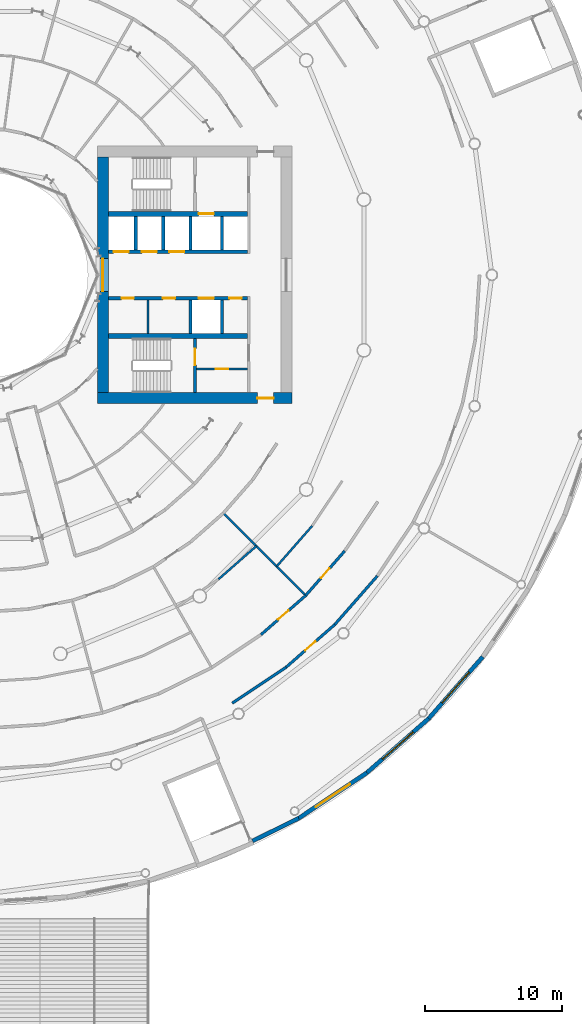
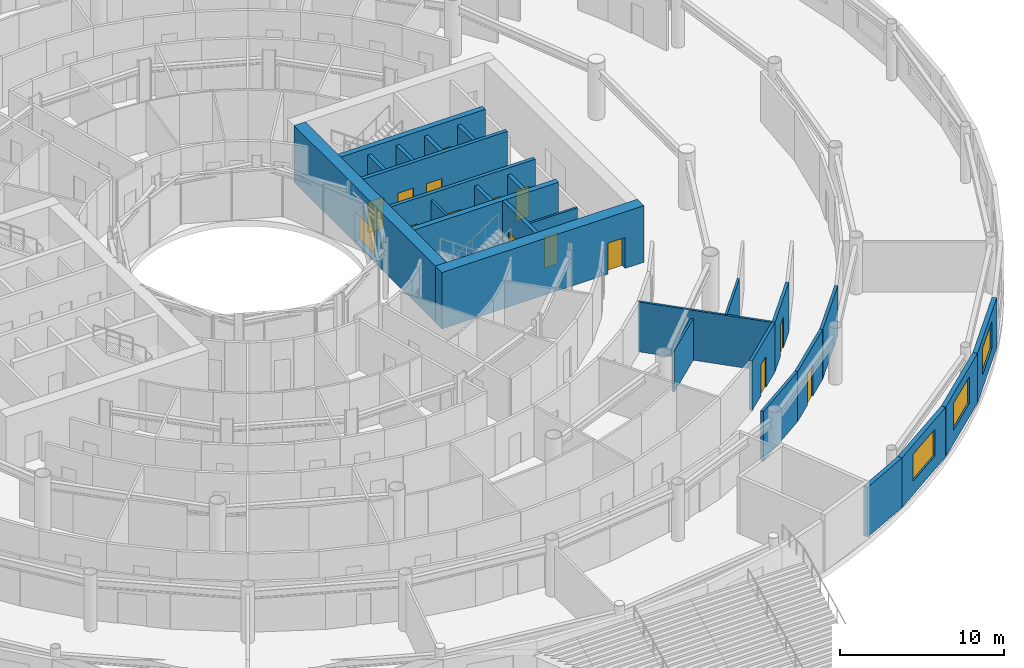
# One storey, part 17 of 29: 27 walls, 14 doors, 4 windows, 18 openings.
"""IFC4 building model written with IfcOpenShell, lengths in metres."""

from ifc_helpers import new_model, si_unit, direction, frame, frame_2d, origin, place, context, subcontext, project, spatial, rectangle, extrude, material, layer, layer_set, type_object, element, fill, save


model = new_model("IFC4")

# Units and contexts
model_context = context("Model", 3, precision=1e-05, world=origin(), true_north=direction((0.0, 1.0)))
body_context = subcontext(model_context, "Body", "Model", "MODEL_VIEW")
ifc_project = project(units=[si_unit("LENGTHUNIT", "METRE"), si_unit("AREAUNIT", "SQUARE_METRE"), si_unit("VOLUMEUNIT", "CUBIC_METRE"), si_unit("PLANEANGLEUNIT", "RADIAN"), si_unit("MASSUNIT", "GRAM", prefix="KILO")], contexts=[model_context])

# Site, building, storey
site_placement = place(None, origin())
site = spatial("IfcSite", under=ifc_project, at=site_placement, CompositionType="ELEMENT")
building_placement = place(site_placement, origin())
building = spatial("IfcBuilding", under=site, at=building_placement, Name="Maasbend Ring Residences", CompositionType="ELEMENT")
storey_placement = place(building_placement, frame((0.0, 0.0, 5.39990234375)))
storey = spatial("IfcBuildingStorey", under=building, at=storey_placement, Name="L01", CompositionType="ELEMENT", Elevation=5.39990234375)

# Wall, openings, doors
ifc_material_1 = material(Name="Concrete C70/85", Category="concrete")
ifc_layer_1 = layer(ifc_material_1, 0.25)
ifc_layer_set_1 = layer_set([ifc_layer_1], Name="Concrete C70/85")
wall_type_1 = type_object("IfcWallType", Name="CORE WALL 250 C70/85", PredefinedType="SHEAR", material=ifc_layer_set_1)
wall_1_placement = place(storey_placement, frame((9.0, 1.699951171875, 0.0), z_axis=(0.0, 0.0, 1.0), x_axis=(1.0, 0.0, 0.0)))
wall_1 = element("IfcWall", 1, at=wall_1_placement, inside=storey, type_object=wall_type_1, Name="L01 core E wall SPN", PredefinedType="SHEAR", context=body_context, shape_type="SweptSolid", body=[
    extrude(rectangle(XDim=10.14990234375, YDim=0.25, at=frame_2d((5.074951171875, 0.0))), origin(), (0.0, 0.0, 1.0), 4.2001953125),
])
opening_1_placement = place(wall_1_placement, frame((0.387451171875, 0.0, 0.0)))
opening_1 = element("IfcOpeningElement", 2, at=opening_1_placement, cuts=wall_1, Name="Opening LD-E0101", PredefinedType="OPENING", context=body_context, shape_type="SweptSolid", body=[
    extrude(rectangle(XDim=1.10009765625, YDim=2.300048828125, at=frame_2d((0.550048828125, 1.14990234375))), frame((0.0, 0.135009765625, 0.0), z_axis=(0.0, -1.0, 0.0), x_axis=(1.0, 0.0, 0.0)), (0.0, 0.0, 1.0), 0.27001953125),
])
opening_2_placement = place(wall_1_placement, frame((2.449951171875, 0.0, 0.0)))
opening_2 = element("IfcOpeningElement", 3, at=opening_2_placement, cuts=wall_1, Name="Opening LD-E0102", PredefinedType="OPENING", context=body_context, shape_type="SweptSolid", body=[
    extrude(rectangle(XDim=1.10009765625, YDim=2.300048828125, at=frame_2d((0.550048828125, 1.14990234375))), frame((0.0, 0.135009765625, 0.0), z_axis=(0.0, -1.0, 0.0), x_axis=(1.0, 0.0, 0.0)), (0.0, 0.0, 1.0), 0.27001953125),
])
opening_3_placement = place(wall_1_placement, frame((4.449951171875, 0.0, 0.0)))
opening_3 = element("IfcOpeningElement", 4, at=opening_3_placement, cuts=wall_1, Name="Opening LD-E0103", PredefinedType="OPENING", context=body_context, shape_type="SweptSolid", body=[
    extrude(rectangle(XDim=1.10009765625, YDim=2.300048828125, at=frame_2d((0.550048828125, 1.14990234375))), frame((0.0, 0.135009765625, 0.0), z_axis=(0.0, -1.0, 0.0), x_axis=(1.0, 0.0, 0.0)), (0.0, 0.0, 1.0), 0.27001953125),
])
ifc_material_2 = material(Name="Stainless steel 316", Category="steel")
door_type_1 = type_object("IfcDoorType", Name="LANDING DOOR 1100 X 2300 FD60", OperationType="DOUBLE_DOOR_SLIDING", PredefinedType="DOOR", material=ifc_material_2)
door_1_placement = place(opening_1_placement, origin())
door_1 = element("IfcDoor", 5, at=door_1_placement, inside=storey, type_object=door_type_1, Name="Landing door LR-E1 L01", OperationType="DOUBLE_DOOR_SLIDING", OverallHeight=2.300048828125, OverallWidth=1.10009765625, PredefinedType="DOOR", context=body_context, shape_type="SweptSolid", body=[
    extrude(rectangle(XDim=1.10009765625, YDim=2.300048828125, at=frame_2d((0.550048828125, 1.14990234375))), frame((0.0, 0.02490234375, 0.0), z_axis=(0.0, -1.0, 0.0), x_axis=(1.0, 0.0, 0.0)), (0.0, 0.0, 1.0), 0.050048828125),
])
fill(opening_1, door_1)
door_2_placement = place(opening_2_placement, origin())
door_2 = element("IfcDoor", 6, at=door_2_placement, inside=storey, type_object=door_type_1, Name="Landing door LR-E2 L01", OperationType="DOUBLE_DOOR_SLIDING", OverallHeight=2.300048828125, OverallWidth=1.10009765625, PredefinedType="DOOR", context=body_context, shape_type="SweptSolid", body=[
    extrude(rectangle(XDim=1.10009765625, YDim=2.300048828125, at=frame_2d((0.550048828125, 1.14990234375))), frame((0.0, 0.02490234375, 0.0), z_axis=(0.0, -1.0, 0.0), x_axis=(1.0, 0.0, 0.0)), (0.0, 0.0, 1.0), 0.050048828125),
])
fill(opening_2, door_2)
door_3_placement = place(opening_3_placement, origin())
door_3 = element("IfcDoor", 7, at=door_3_placement, inside=storey, type_object=door_type_1, Name="Landing door LR-E3 L01", OperationType="DOUBLE_DOOR_SLIDING", OverallHeight=2.300048828125, OverallWidth=1.10009765625, PredefinedType="DOOR", context=body_context, shape_type="SweptSolid", body=[
    extrude(rectangle(XDim=1.10009765625, YDim=2.300048828125, at=frame_2d((0.550048828125, 1.14990234375))), frame((0.0, 0.02490234375, 0.0), z_axis=(0.0, -1.0, 0.0), x_axis=(1.0, 0.0, 0.0)), (0.0, 0.0, 1.0), 0.050048828125),
])
fill(opening_3, door_3)

wall_2_placement = place(storey_placement, frame((19.14990234375, -1.699951171875, 0.0), z_axis=(0.0, 0.0, 1.0), x_axis=(-1.0, 0.0, 0.0)))
wall_2 = element("IfcWall", 8, at=wall_2_placement, inside=storey, type_object=wall_type_1, Name="L01 core E wall SPS", PredefinedType="SHEAR", context=body_context, shape_type="SweptSolid", body=[
    extrude(rectangle(XDim=10.14990234375, YDim=0.25, at=frame_2d((5.074951171875, 0.0))), origin(), (0.0, 0.0, 1.0), 4.2001953125),
])
opening_4_placement = place(wall_2_placement, frame((2.449951171875, 0.0, 0.0)))
opening_4 = element("IfcOpeningElement", 9, at=opening_4_placement, cuts=wall_2, Name="Opening LD-E0105", PredefinedType="OPENING", context=body_context, shape_type="SweptSolid", body=[
    extrude(rectangle(XDim=1.10009765625, YDim=2.300048828125, at=frame_2d((0.550048828125, 1.14990234375))), frame((0.0, 0.135009765625, 0.0), z_axis=(0.0, -1.0, 0.0), x_axis=(1.0, 0.0, 0.0)), (0.0, 0.0, 1.0), 0.27001953125),
])
opening_5_placement = place(wall_2_placement, frame((8.28759765625, 0.0, 0.0)))
opening_5 = element("IfcOpeningElement", 10, at=opening_5_placement, cuts=wall_2, Name="Opening D-E0106", PredefinedType="OPENING", context=body_context, shape_type="SweptSolid", body=[
    extrude(rectangle(XDim=0.89990234375, YDim=2.300048828125, at=frame_2d((0.449951171875, 1.14990234375))), frame((0.0, 0.135009765625, 0.0), z_axis=(0.0, -1.0, 0.0), x_axis=(1.0, 0.0, 0.0)), (0.0, 0.0, 1.0), 0.27001953125),
])
opening_6_placement = place(wall_2_placement, frame((5.27490234375, 0.0, 0.0)))
opening_6 = element("IfcOpeningElement", 11, at=opening_6_placement, cuts=wall_2, Name="Opening D-E0107", PredefinedType="OPENING", context=body_context, shape_type="SweptSolid", body=[
    extrude(rectangle(XDim=0.89990234375, YDim=2.300048828125, at=frame_2d((0.449951171875, 1.14990234375))), frame((0.0, 0.135009765625, 0.0), z_axis=(0.0, -1.0, 0.0), x_axis=(1.0, 0.0, 0.0)), (0.0, 0.0, 1.0), 0.27001953125),
])
opening_7_placement = place(wall_2_placement, frame((0.41259765625, 0.0, 0.0)))
opening_7 = element("IfcOpeningElement", 12, at=opening_7_placement, cuts=wall_2, Name="Opening D-E0108", PredefinedType="OPENING", context=body_context, shape_type="SweptSolid", body=[
    extrude(rectangle(XDim=0.89990234375, YDim=2.300048828125, at=frame_2d((0.449951171875, 1.14990234375))), frame((0.0, 0.135009765625, 0.0), z_axis=(0.0, -1.0, 0.0), x_axis=(1.0, 0.0, 0.0)), (0.0, 0.0, 1.0), 0.27001953125),
])
door_4_placement = place(opening_4_placement, origin())
door_4 = element("IfcDoor", 13, at=door_4_placement, inside=storey, type_object=door_type_1, Name="Landing door SV-E L01", OperationType="DOUBLE_DOOR_SLIDING", OverallHeight=2.300048828125, OverallWidth=1.10009765625, PredefinedType="DOOR", context=body_context, shape_type="SweptSolid", body=[
    extrude(rectangle(XDim=1.10009765625, YDim=2.300048828125, at=frame_2d((0.550048828125, 1.14990234375))), frame((0.0, 0.02490234375, 0.0), z_axis=(0.0, -1.0, 0.0), x_axis=(1.0, 0.0, 0.0)), (0.0, 0.0, 1.0), 0.050048828125),
])
fill(opening_4, door_4)
ifc_material_3 = material(Name="Steel, powder coated", Category="steel")
door_type_2 = type_object("IfcDoorType", Name="ROOM DOOR 900 X 2300 FD30S", OperationType="NOTDEFINED", PredefinedType="DOOR", material=ifc_material_3)
door_5_placement = place(opening_5_placement, origin())
door_5 = element("IfcDoor", 14, at=door_5_placement, inside=storey, type_object=door_type_2, Name="Room door L01", OperationType="SINGLE_SWING_LEFT", OverallHeight=2.300048828125, OverallWidth=0.89990234375, PredefinedType="DOOR", context=body_context, shape_type="SweptSolid", body=[
    extrude(rectangle(XDim=0.89990234375, YDim=2.300048828125, at=frame_2d((0.449951171875, 1.14990234375))), frame((0.0, 0.02490234375, 0.0), z_axis=(0.0, -1.0, 0.0), x_axis=(1.0, 0.0, 0.0)), (0.0, 0.0, 1.0), 0.050048828125),
])
fill(opening_5, door_5)
door_6_placement = place(opening_6_placement, origin())
door_6 = element("IfcDoor", 15, at=door_6_placement, inside=storey, type_object=door_type_2, Name="Room door L01", OperationType="SINGLE_SWING_LEFT", OverallHeight=2.300048828125, OverallWidth=0.89990234375, PredefinedType="DOOR", context=body_context, shape_type="SweptSolid", body=[
    extrude(rectangle(XDim=0.89990234375, YDim=2.300048828125, at=frame_2d((0.449951171875, 1.14990234375))), frame((0.0, 0.02490234375, 0.0), z_axis=(0.0, -1.0, 0.0), x_axis=(1.0, 0.0, 0.0)), (0.0, 0.0, 1.0), 0.050048828125),
])
fill(opening_6, door_6)
door_7_placement = place(opening_7_placement, origin())
door_7 = element("IfcDoor", 16, at=door_7_placement, inside=storey, type_object=door_type_2, Name="Room door L01", OperationType="SINGLE_SWING_RIGHT", OverallHeight=2.300048828125, OverallWidth=0.89990234375, PredefinedType="DOOR", context=body_context, shape_type="SweptSolid", body=[
    extrude(rectangle(XDim=0.89990234375, YDim=2.300048828125, at=frame_2d((0.449951171875, 1.14990234375))), frame((0.0, 0.02490234375, 0.0), z_axis=(0.0, -1.0, 0.0), x_axis=(1.0, 0.0, 0.0)), (0.0, 0.0, 1.0), 0.050048828125),
])
fill(opening_7, door_7)

# Wall, opening, door
wall_3_placement = place(storey_placement, frame((15.324951171875, -8.60009765625, 0.0), z_axis=(0.0, 0.0, 1.0), x_axis=(0.0, 1.0, 0.0)))
wall_3 = element("IfcWall", 17, at=wall_3_placement, inside=storey, type_object=wall_type_1, Name="L01 core E wall STES", PredefinedType="SHEAR", context=body_context, shape_type="SweptSolid", body=[
    extrude(rectangle(XDim=3.9501953125, YDim=0.25, at=frame_2d((1.97509765625, 0.0))), origin(), (0.0, 0.0, 1.0), 4.2001953125),
])
opening_8_placement = place(wall_3_placement, frame((2.02490234375, 0.0, 0.0)))
opening_8 = element("IfcOpeningElement", 18, at=opening_8_placement, cuts=wall_3, Name="Opening D-E0111", PredefinedType="OPENING", context=body_context, shape_type="SweptSolid", body=[
    extrude(rectangle(XDim=1.199951171875, YDim=2.300048828125, at=frame_2d((0.60009765625, 1.14990234375))), frame((0.0, 0.135009765625, 0.0), z_axis=(0.0, -1.0, 0.0), x_axis=(1.0, 0.0, 0.0)), (0.0, 0.0, 1.0), 0.27001953125),
])
ifc_material_4 = material(Name="Steel, powder coated", Category="steel")
door_type_3 = type_object("IfcDoorType", Name="STAIR DOOR 1200 X 2300 FD60", OperationType="NOTDEFINED", PredefinedType="DOOR", material=ifc_material_4)
door_8_placement = place(opening_8_placement, origin())
door_8 = element("IfcDoor", 19, at=door_8_placement, inside=storey, type_object=door_type_3, Name="Stair door ST-E L01", OperationType="SINGLE_SWING_LEFT", OverallHeight=2.300048828125, OverallWidth=1.199951171875, PredefinedType="DOOR", context=body_context, shape_type="SweptSolid", body=[
    extrude(rectangle(XDim=1.199951171875, YDim=2.300048828125, at=frame_2d((0.60009765625, 1.14990234375))), frame((0.0, 0.02490234375, 0.0), z_axis=(0.0, -1.0, 0.0), x_axis=(1.0, 0.0, 0.0)), (0.0, 0.0, 1.0), 0.050048828125),
])
fill(opening_8, door_8)

ifc_material_5 = material(Name="Concrete C70/85", Category="concrete")
ifc_layer_2 = layer(ifc_material_5, 0.375)
ifc_layer_set_2 = layer_set([ifc_layer_2], Name="Concrete C70/85")
wall_type_2 = type_object("IfcWallType", Name="CORE WALL 375 C70/85", PredefinedType="SHEAR", material=ifc_layer_set_2)
wall_4_placement = place(storey_placement, frame((9.0, 4.46240234375, 0.0), z_axis=(0.0, 0.0, 1.0), x_axis=(1.0, 0.0, 0.0)))
wall_4 = element("IfcWall", 20, at=wall_4_placement, inside=storey, type_object=wall_type_2, Name="L01 core E wall BN", PredefinedType="SHEAR", context=body_context, shape_type="SweptSolid", body=[
    extrude(rectangle(XDim=10.14990234375, YDim=0.375, at=frame_2d((5.074951171875, 0.0))), origin(), (0.0, 0.0, 1.0), 4.2001953125),
])
opening_9_placement = place(wall_4_placement, frame((6.60009765625, 0.0, 0.0)))
opening_9 = element("IfcOpeningElement", 21, at=opening_9_placement, cuts=wall_4, Name="Opening LD-E0104", PredefinedType="OPENING", context=body_context, shape_type="SweptSolid", body=[
    extrude(rectangle(XDim=1.10009765625, YDim=2.300048828125, at=frame_2d((0.550048828125, 1.14990234375))), frame((0.0, 0.197509765625, 0.0), z_axis=(0.0, -1.0, 0.0), x_axis=(1.0, 0.0, 0.0)), (0.0, 0.0, 1.0), 0.39501953125),
])
door_9_placement = place(opening_9_placement, origin())
door_9 = element("IfcDoor", 22, at=door_9_placement, inside=storey, type_object=door_type_1, Name="Landing door FF-E L01", OperationType="DOUBLE_DOOR_SLIDING", OverallHeight=2.300048828125, OverallWidth=1.10009765625, PredefinedType="DOOR", context=body_context, shape_type="SweptSolid", body=[
    extrude(rectangle(XDim=1.10009765625, YDim=2.300048828125, at=frame_2d((0.550048828125, 1.14990234375))), frame((0.0, 0.02490234375, 0.0), z_axis=(0.0, -1.0, 0.0), x_axis=(1.0, 0.0, 0.0)), (0.0, 0.0, 1.0), 0.050048828125),
])
fill(opening_9, door_9)

# Wall
wall_5_placement = place(storey_placement, frame((9.0, -4.46240234375, 0.0), z_axis=(0.0, 0.0, 1.0), x_axis=(1.0, 0.0, 0.0)))
element("IfcWall", 23, at=wall_5_placement, inside=storey, type_object=wall_type_2, Name="L01 core E wall BS", PredefinedType="SHEAR", context=body_context, shape_type="SweptSolid", body=[
    extrude(rectangle(XDim=10.14990234375, YDim=0.375, at=frame_2d((5.074951171875, 0.0))), origin(), (0.0, 0.0, 1.0), 4.2001953125),
])

# Wall, opening, door
ifc_material_6 = material(Name="Concrete C70/85", Category="concrete")
ifc_layer_3 = layer(ifc_material_6, 0.800048828125)
ifc_layer_set_3 = layer_set([ifc_layer_3], Name="Concrete C70/85")
wall_type_3 = type_object("IfcWallType", Name="CORE WALL 800 C70/85", PredefinedType="SHEAR", material=ifc_layer_set_3)
wall_6_placement = place(storey_placement, frame((8.199951171875, -9.0, 0.0), z_axis=(0.0, 0.0, 1.0), x_axis=(1.0, 0.0, 0.0)))
wall_6 = element("IfcWall", 24, at=wall_6_placement, inside=storey, type_object=wall_type_3, Name="L01 core E wall PS", PredefinedType="SHEAR", context=body_context, shape_type="SweptSolid", body=[
    extrude(rectangle(XDim=14.199951171875, YDim=0.800048828125, at=frame_2d((7.10009765625, 0.0))), origin(), (0.0, 0.0, 1.0), 4.2001953125),
])
opening_10_placement = place(wall_6_placement, frame((11.675048828125, 0.0, 0.0)))
opening_10 = element("IfcOpeningElement", 25, at=opening_10_placement, cuts=wall_6, Name="Opening D-E0115", PredefinedType="OPENING", context=body_context, shape_type="SweptSolid", body=[
    extrude(rectangle(XDim=1.199951171875, YDim=2.300048828125, at=frame_2d((0.60009765625, 1.14990234375))), frame((0.0, 0.41015625, 0.0), z_axis=(0.0, -1.0, 0.0), x_axis=(1.0, 0.0, 0.0)), (0.0, 0.0, 1.0), 0.820068359375),
])
ifc_material_7 = material(Name="Steel, powder coated", Category="steel")
door_type_4 = type_object("IfcDoorType", Name="CORRIDOR DOOR 1200 X 2300 FD30S", OperationType="NOTDEFINED", PredefinedType="DOOR", material=ifc_material_7)
door_10_placement = place(opening_10_placement, origin())
door_10 = element("IfcDoor", 26, at=door_10_placement, inside=storey, type_object=door_type_4, Name="Corridor door L01", OperationType="SINGLE_SWING_LEFT", OverallHeight=2.300048828125, OverallWidth=1.199951171875, PredefinedType="DOOR", context=body_context, shape_type="SweptSolid", body=[
    extrude(rectangle(XDim=1.199951171875, YDim=2.300048828125, at=frame_2d((0.60009765625, 1.14990234375))), frame((0.0, 0.02490234375, 0.0), z_axis=(0.0, -1.0, 0.0), x_axis=(1.0, 0.0, 0.0)), (0.0, 0.0, 1.0), 0.050048828125),
])
fill(opening_10, door_10)

# Wall, opening, window
wall_7_placement = place(storey_placement, frame((8.60009765625, -8.60009765625, 0.0), z_axis=(0.0, 0.0, 1.0), x_axis=(0.0, 1.0, 0.0)))
wall_7 = element("IfcWall", 27, at=wall_7_placement, inside=storey, type_object=wall_type_3, Name="L01 core E wall PIN", PredefinedType="SHEAR", context=body_context, shape_type="SweptSolid", body=[
    extrude(rectangle(XDim=17.2001953125, YDim=0.800048828125, at=frame_2d((8.60009765625, 0.0))), origin(), (0.0, 0.0, 1.0), 4.2001953125),
])
opening_11_placement = place(wall_7_placement, frame((7.39990234375, 0.0, 0.10009765625)))
opening_11 = element("IfcOpeningElement", 28, at=opening_11_placement, cuts=wall_7, Name="Opening W-E0101", PredefinedType="OPENING", context=body_context, shape_type="SweptSolid", body=[
    extrude(rectangle(XDim=2.39990234375, YDim=2.199951171875, at=frame_2d((1.199951171875, 1.10009765625))), frame((0.0, 0.41015625, 0.0), z_axis=(0.0, -1.0, 0.0), x_axis=(1.0, 0.0, 0.0)), (0.0, 0.0, 1.0), 0.820068359375),
])
ifc_material_8 = material(Name="Aluminium frame and clear glass", Category="aluminium")
window_type_1 = type_object("IfcWindowType", Name="FIXED WINDOW 2400 X 2200", PartitioningType="SINGLE_PANEL", PredefinedType="WINDOW", material=ifc_material_8)
window_1_placement = place(opening_11_placement, origin())
window_1 = element("IfcWindow", 29, at=window_1_placement, inside=storey, type_object=window_type_1, Name="Lobby window L01", OverallHeight=2.199951171875, OverallWidth=2.39990234375, PartitioningType="SINGLE_PANEL", PredefinedType="WINDOW", context=body_context, shape_type="SweptSolid", body=[
    extrude(rectangle(XDim=2.39990234375, YDim=2.199951171875, at=frame_2d((1.199951171875, 1.10009765625))), frame((0.0, 0.030029296875, 0.0), z_axis=(0.0, -1.0, 0.0), x_axis=(1.0, 0.0, 0.0)), (0.0, 0.0, 1.0), 0.06005859375),
])
fill(opening_11, window_1)

# Wall
ifc_material_9 = material(Name="Concrete C30/37", Category="concrete")
ifc_layer_4 = layer(ifc_material_9, 0.199951171875)
ifc_layer_set_4 = layer_set([ifc_layer_4], Name="Concrete C30/37")
wall_type_4 = type_object("IfcWallType", Name="CORRIDOR WALL 200 CONCRETE", PredefinedType="PARTITIONING", material=ifc_layer_set_4)
wall_8_placement = place(storey_placement, frame((18.050048828125, -31.263916015625, 0.0), z_axis=(0.0, 0.0, 1.0), x_axis=(0.831397496099, 0.555678147384, 0.0)))
element("IfcWall", 30, at=wall_8_placement, inside=storey, type_object=wall_type_4, Name="U-L01-w015", PredefinedType="PARTITIONING", context=body_context, shape_type="SweptSolid", body=[
    extrude(rectangle(XDim=4.72216796875, YDim=0.199951171875, at=frame_2d((2.361083984375, 0.0))), origin(), (0.0, 0.0, 1.0), 3.7001953125),
])

# Wall, opening, door
wall_9_placement = place(storey_placement, frame((21.97607421875, -28.639892578125, 0.0), z_axis=(0.0, 0.0, 1.0), x_axis=(0.751983893099, 0.659181480716, 0.0)))
wall_9 = element("IfcWall", 31, at=wall_9_placement, inside=storey, type_object=wall_type_4, Name="U-L01-w016", PredefinedType="PARTITIONING", context=body_context, shape_type="SweptSolid", body=[
    extrude(rectangle(XDim=4.72216796875, YDim=0.199951171875, at=frame_2d((2.361083984375, 0.0))), origin(), (0.0, 0.0, 1.0), 3.7001953125),
])
opening_12_placement = place(wall_9_placement, frame((1.861083984375, 0.0, 0.0)))
opening_12 = element("IfcOpeningElement", 32, at=opening_12_placement, cuts=wall_9, Name="Opening D-0184", PredefinedType="OPENING", context=body_context, shape_type="SweptSolid", body=[
    extrude(rectangle(XDim=1.0, YDim=2.300048828125, at=frame_2d((0.5, 1.14990234375))), frame((0.0, 0.10986328125, 0.0), z_axis=(0.0, -1.0, 0.0), x_axis=(1.0, 0.0, 0.0)), (0.0, 0.0, 1.0), 0.219970703125),
])
ifc_material_10 = material(Name="Timber, painted", Category="wood")
door_type_5 = type_object("IfcDoorType", Name="ROOM DOOR 1000 X 2300", OperationType="NOTDEFINED", PredefinedType="DOOR", material=ifc_material_10)
door_11_placement = place(opening_12_placement, origin())
door_11 = element("IfcDoor", 33, at=door_11_placement, inside=storey, type_object=door_type_5, Name="D-0184", OperationType="SINGLE_SWING_LEFT", OverallHeight=2.300048828125, OverallWidth=1.0, PredefinedType="DOOR", context=body_context, shape_type="SweptSolid", body=[
    extrude(rectangle(XDim=1.0, YDim=2.300048828125, at=frame_2d((0.5, 1.14990234375))), frame((0.0, 0.02490234375, 0.0), z_axis=(0.0, -1.0, 0.0), x_axis=(1.0, 0.0, 0.0)), (0.0, 0.0, 1.0), 0.050048828125),
])
fill(opening_12, door_11)

# Wall
wall_10_placement = place(storey_placement, frame((25.527099609375, -25.527099609375, 0.0), z_axis=(0.0, 0.0, 1.0), x_axis=(0.659181480716, 0.751983893099, 0.0)))
element("IfcWall", 34, at=wall_10_placement, inside=storey, type_object=wall_type_4, Name="U-L01-w017", PredefinedType="PARTITIONING", context=body_context, shape_type="SweptSolid", body=[
    extrude(rectangle(XDim=4.72216796875, YDim=0.199951171875, at=frame_2d((2.361083984375, 0.0))), origin(), (0.0, 0.0, 1.0), 3.7001953125),
])

# Wall, opening, door
wall_11_placement = place(storey_placement, frame((20.14990234375, -26.260009765625, 0.0), z_axis=(0.0, 0.0, 1.0), x_axis=(0.75180422834, 0.659386383125, 0.0)))
wall_11 = element("IfcWall", 35, at=wall_11_placement, inside=storey, type_object=wall_type_4, Name="U-L01-w036", PredefinedType="PARTITIONING", context=body_context, shape_type="SweptSolid", body=[
    extrude(rectangle(XDim=4.329833984375, YDim=0.199951171875, at=frame_2d((2.1650390625, 0.0))), origin(), (0.0, 0.0, 1.0), 3.7001953125),
])
opening_13_placement = place(wall_11_placement, frame((1.6650390625, 0.0, 0.0)))
opening_13 = element("IfcOpeningElement", 36, at=opening_13_placement, cuts=wall_11, Name="Opening D-0167", PredefinedType="OPENING", context=body_context, shape_type="SweptSolid", body=[
    extrude(rectangle(XDim=1.0, YDim=2.300048828125, at=frame_2d((0.5, 1.14990234375))), frame((0.0, 0.10986328125, 0.0), z_axis=(0.0, -1.0, 0.0), x_axis=(1.0, 0.0, 0.0)), (0.0, 0.0, 1.0), 0.219970703125),
])
door_12_placement = place(opening_13_placement, origin())
door_12 = element("IfcDoor", 37, at=door_12_placement, inside=storey, type_object=door_type_5, Name="D-0167", OperationType="SINGLE_SWING_RIGHT", OverallHeight=2.300048828125, OverallWidth=1.0, PredefinedType="DOOR", context=body_context, shape_type="SweptSolid", body=[
    extrude(rectangle(XDim=1.0, YDim=2.300048828125, at=frame_2d((0.5, 1.14990234375))), frame((0.0, 0.02490234375, 0.0), z_axis=(0.0, -1.0, 0.0), x_axis=(1.0, 0.0, 0.0)), (0.0, 0.0, 1.0), 0.050048828125),
])
fill(opening_13, door_12)

wall_12_placement = place(storey_placement, frame((23.405029296875, -23.405029296875, 0.0), z_axis=(0.0, 0.0, 1.0), x_axis=(0.659386383125, 0.75180422834, 0.0)))
wall_12 = element("IfcWall", 38, at=wall_12_placement, inside=storey, type_object=wall_type_4, Name="U-L01-w037", PredefinedType="PARTITIONING", context=body_context, shape_type="SweptSolid", body=[
    extrude(rectangle(XDim=4.329833984375, YDim=0.199951171875, at=frame_2d((2.1650390625, 0.0))), origin(), (0.0, 0.0, 1.0), 3.7001953125),
])
opening_14_placement = place(wall_12_placement, frame((1.715087890625, 0.0, 0.0)))
opening_14 = element("IfcOpeningElement", 39, at=opening_14_placement, cuts=wall_12, Name="Opening D-0169", PredefinedType="OPENING", context=body_context, shape_type="SweptSolid", body=[
    extrude(rectangle(XDim=0.89990234375, YDim=2.300048828125, at=frame_2d((0.449951171875, 1.14990234375))), frame((0.0, 0.10986328125, 0.0), z_axis=(0.0, -1.0, 0.0), x_axis=(1.0, 0.0, 0.0)), (0.0, 0.0, 1.0), 0.219970703125),
])
ifc_material_11 = material(Name="Steel, fire-rated, painted", Category="steel")
door_type_6 = type_object("IfcDoorType", Name="SERVICE DOOR 900 X 2300 FIRE-RATED", OperationType="NOTDEFINED", PredefinedType="DOOR", material=ifc_material_11)
door_13_placement = place(opening_14_placement, origin())
door_13 = element("IfcDoor", 40, at=door_13_placement, inside=storey, type_object=door_type_6, Name="D-0169", OperationType="SINGLE_SWING_RIGHT", OverallHeight=2.300048828125, OverallWidth=0.89990234375, PredefinedType="DOOR", context=body_context, shape_type="SweptSolid", body=[
    extrude(rectangle(XDim=0.89990234375, YDim=2.300048828125, at=frame_2d((0.449951171875, 1.14990234375))), frame((0.0, 0.02490234375, 0.0), z_axis=(0.0, -1.0, 0.0), x_axis=(1.0, 0.0, 0.0)), (0.0, 0.0, 1.0), 0.050048828125),
])
fill(opening_14, door_13)

# Wall
ifc_material_12 = material(Name="Pale anodised aluminium panel", Category="aluminium")
ifc_layer_5 = layer(ifc_material_12, 0.300048828125)
ifc_layer_set_5 = layer_set([ifc_layer_5], Name="EW-BASE")
wall_type_5 = type_object("IfcWallType", Name="EW-BASE", PredefinedType="SOLIDWALL", material=ifc_layer_set_5)
wall_13_placement = place(storey_placement, frame((19.527099609375, -41.326904296875, 0.0), z_axis=(0.0, 0.0, 1.0), x_axis=(0.896919197762, 0.44219447383, 0.0)))
element("IfcWall", 41, at=wall_13_placement, inside=storey, type_object=wall_type_5, Name="Base block wall 40a", PredefinedType="SOLIDWALL", context=body_context, shape_type="SweptSolid", body=[
    extrude(rectangle(XDim=3.760498046875, YDim=0.300048828125, at=frame_2d((1.88037109375, 0.0))), origin(), (0.0, 0.0, 1.0), 3.7001953125),
])

# Wall, opening, window
wall_14_placement = place(storey_placement, frame((22.89990234375, -39.6640625, 0.0), z_axis=(0.0, 0.0, 1.0), x_axis=(0.831485590074, 0.55554631985, 0.0)))
wall_14 = element("IfcWall", 42, at=wall_14_placement, inside=storey, type_object=wall_type_5, Name="Base block wall 41", PredefinedType="SOLIDWALL", context=body_context, shape_type="SweptSolid", body=[
    extrude(rectangle(XDim=5.99072265625, YDim=0.300048828125, at=frame_2d((2.995361328125, 0.0))), origin(), (0.0, 0.0, 1.0), 3.7001953125),
])
opening_15_placement = place(wall_14_placement, frame((1.495361328125, 0.0, 1.0)))
opening_15 = element("IfcOpeningElement", 43, at=opening_15_placement, cuts=wall_14, Name="Opening W-PB", PredefinedType="OPENING", context=body_context, shape_type="SweptSolid", body=[
    extrude(rectangle(XDim=3.0, YDim=2.0, at=frame_2d((1.5, 1.0))), frame((0.0, 0.16015625, 0.0), z_axis=(0.0, -1.0, 0.0), x_axis=(1.0, 0.0, 0.0)), (0.0, 0.0, 1.0), 0.320068359375),
])
ifc_material_13 = material(Name="Aluminium and clear glass", Category="aluminium")
window_type_2 = type_object("IfcWindowType", Name="W-PB", PartitioningType="SINGLE_PANEL", PredefinedType="WINDOW", material=ifc_material_13)
window_2_placement = place(opening_15_placement, origin())
window_2 = element("IfcWindow", 44, at=window_2_placement, inside=storey, type_object=window_type_2, Name="Base block window 41", OverallHeight=2.0, OverallWidth=3.0, PartitioningType="SINGLE_PANEL", PredefinedType="WINDOW", context=body_context, shape_type="SweptSolid", body=[
    extrude(rectangle(XDim=3.0, YDim=2.0, at=frame_2d((1.5, 1.0))), frame((0.0, 0.030029296875, 0.0), z_axis=(0.0, -1.0, 0.0), x_axis=(1.0, 0.0, 0.0)), (0.0, 0.0, 1.0), 0.06005859375),
])
fill(opening_15, window_2)

wall_15_placement = place(storey_placement, frame((27.881103515625, -36.3359375, 0.0), z_axis=(0.0, 0.0, 1.0), x_axis=(0.751748126189, 0.659450342916, 0.0)))
wall_15 = element("IfcWall", 45, at=wall_15_placement, inside=storey, type_object=wall_type_5, Name="Base block wall 42", PredefinedType="SOLIDWALL", context=body_context, shape_type="SweptSolid", body=[
    extrude(rectangle(XDim=5.9912109375, YDim=0.300048828125, at=frame_2d((2.99560546875, 0.0))), origin(), (0.0, 0.0, 1.0), 3.7001953125),
])
opening_16_placement = place(wall_15_placement, frame((1.495361328125, 0.0, 1.0)))
opening_16 = element("IfcOpeningElement", 46, at=opening_16_placement, cuts=wall_15, Name="Opening W-PB", PredefinedType="OPENING", context=body_context, shape_type="SweptSolid", body=[
    extrude(rectangle(XDim=3.0, YDim=2.0, at=frame_2d((1.5, 1.0))), frame((0.0, 0.16015625, 0.0), z_axis=(0.0, -1.0, 0.0), x_axis=(1.0, 0.0, 0.0)), (0.0, 0.0, 1.0), 0.320068359375),
])
window_3_placement = place(opening_16_placement, origin())
window_3 = element("IfcWindow", 47, at=window_3_placement, inside=storey, type_object=window_type_2, Name="Base block window 42", OverallHeight=2.0, OverallWidth=3.0, PartitioningType="SINGLE_PANEL", PredefinedType="WINDOW", context=body_context, shape_type="SweptSolid", body=[
    extrude(rectangle(XDim=3.0, YDim=2.0, at=frame_2d((1.5, 1.0))), frame((0.0, 0.030029296875, 0.0), z_axis=(0.0, -1.0, 0.0), x_axis=(1.0, 0.0, 0.0)), (0.0, 0.0, 1.0), 0.06005859375),
])
fill(opening_16, window_3)

wall_16_placement = place(storey_placement, frame((32.385009765625, -32.385009765625, 0.0), z_axis=(0.0, 0.0, 1.0), x_axis=(0.659450342916, 0.751748126189, 0.0)))
wall_16 = element("IfcWall", 48, at=wall_16_placement, inside=storey, type_object=wall_type_5, Name="Base block wall 43", PredefinedType="SOLIDWALL", context=body_context, shape_type="SweptSolid", body=[
    extrude(rectangle(XDim=5.9912109375, YDim=0.300048828125, at=frame_2d((2.99560546875, 0.0))), origin(), (0.0, 0.0, 1.0), 3.7001953125),
])
opening_17_placement = place(wall_16_placement, frame((1.495361328125, 0.0, 1.0)))
opening_17 = element("IfcOpeningElement", 49, at=opening_17_placement, cuts=wall_16, Name="Opening W-PB", PredefinedType="OPENING", context=body_context, shape_type="SweptSolid", body=[
    extrude(rectangle(XDim=3.0, YDim=2.0, at=frame_2d((1.5, 1.0))), frame((0.0, 0.16015625, 0.0), z_axis=(0.0, -1.0, 0.0), x_axis=(1.0, 0.0, 0.0)), (0.0, 0.0, 1.0), 0.320068359375),
])
window_4_placement = place(opening_17_placement, origin())
window_4 = element("IfcWindow", 50, at=window_4_placement, inside=storey, type_object=window_type_2, Name="Base block window 43", OverallHeight=2.0, OverallWidth=3.0, PartitioningType="SINGLE_PANEL", PredefinedType="WINDOW", context=body_context, shape_type="SweptSolid", body=[
    extrude(rectangle(XDim=3.0, YDim=2.0, at=frame_2d((1.5, 1.0))), frame((0.0, 0.030029296875, 0.0), z_axis=(0.0, -1.0, 0.0), x_axis=(1.0, 0.0, 0.0)), (0.0, 0.0, 1.0), 0.06005859375),
])
fill(opening_17, window_4)

# Wall
ifc_material_14 = material(Name="Gypsum board on steel studs", Category="steel")
ifc_layer_6 = layer(ifc_material_14, 0.14990234375)
ifc_layer_set_6 = layer_set([ifc_layer_6], Name="PARTITION 150 EI 60")
wall_type_6 = type_object("IfcWallType", Name="PARTITION 150 EI 60", PredefinedType="PARTITIONING", material=ifc_layer_set_6)
wall_17_placement = place(storey_placement, frame((11.89990234375, -1.824951171875, 0.0), z_axis=(0.0, 0.0, 1.0), x_axis=(0.0, -1.0, 0.0)))
element("IfcWall", 51, at=wall_17_placement, inside=storey, type_object=wall_type_6, Name="L01 core E wall PRS1190", PredefinedType="PARTITIONING", context=body_context, shape_type="SweptSolid", body=[
    extrude(rectangle(XDim=2.449951171875, YDim=0.14990234375, at=frame_2d((1.22509765625, 0.0))), origin(), (0.0, 0.0, 1.0), 3.7001953125),
])

# Wall, opening, door
wall_18_placement = place(storey_placement, frame((15.449951171875, -6.875, 0.0), z_axis=(0.0, 0.0, 1.0), x_axis=(1.0, 0.0, 0.0)))
wall_18 = element("IfcWall", 52, at=wall_18_placement, inside=storey, type_object=wall_type_6, Name="L01 core E wall RHS", PredefinedType="PARTITIONING", context=body_context, shape_type="SweptSolid", body=[
    extrude(rectangle(XDim=3.699951171875, YDim=0.14990234375, at=frame_2d((1.85009765625, 0.0))), origin(), (0.0, 0.0, 1.0), 3.7001953125),
])
opening_18_placement = place(wall_18_placement, frame((1.39990234375, 0.0, 0.0)))
opening_18 = element("IfcOpeningElement", 53, at=opening_18_placement, cuts=wall_18, Name="Opening D-E0109", PredefinedType="OPENING", context=body_context, shape_type="SweptSolid", body=[
    extrude(rectangle(XDim=0.89990234375, YDim=2.300048828125, at=frame_2d((0.449951171875, 1.14990234375))), frame((0.0, 0.0849609375, 0.0), z_axis=(0.0, -1.0, 0.0), x_axis=(1.0, 0.0, 0.0)), (0.0, 0.0, 1.0), 0.169921875),
])
ifc_material_15 = material(Name="Steel, powder coated", Category="steel")
door_type_7 = type_object("IfcDoorType", Name="RISER DOOR 900 X 2300 FD60", OperationType="NOTDEFINED", PredefinedType="DOOR", material=ifc_material_15)
door_14_placement = place(opening_18_placement, origin())
door_14 = element("IfcDoor", 54, at=door_14_placement, inside=storey, type_object=door_type_7, Name="Riser door L01", OperationType="SINGLE_SWING_LEFT", OverallHeight=2.300048828125, OverallWidth=0.89990234375, PredefinedType="DOOR", context=body_context, shape_type="SweptSolid", body=[
    extrude(rectangle(XDim=0.89990234375, YDim=2.300048828125, at=frame_2d((0.449951171875, 1.14990234375))), frame((0.0, 0.02490234375, 0.0), z_axis=(0.0, -1.0, 0.0), x_axis=(1.0, 0.0, 0.0)), (0.0, 0.0, 1.0), 0.050048828125),
])
fill(opening_18, door_14)

# Walls
ifc_material_16 = material(Name="Gypsum board on steel studs", Category="steel")
ifc_layer_7 = layer(ifc_material_16, 0.14990234375)
ifc_layer_set_7 = layer_set([ifc_layer_7], Name="PARTITION 150 GYPSUM")
wall_type_7 = type_object("IfcWallType", Name="PARTITION 150 GYPSUM", PredefinedType="PARTITIONING", material=ifc_layer_set_7)
wall_19_placement = place(storey_placement, frame((21.283935546875, -21.283935546875, 0.0), z_axis=(0.0, 0.0, 1.0), x_axis=(0.659364650863, 0.751823288541, 0.0)))
element("IfcWall", 55, at=wall_19_placement, inside=storey, type_object=wall_type_7, Name="U-L01-w041", PredefinedType="PARTITIONING", context=body_context, shape_type="SweptSolid", body=[
    extrude(rectangle(XDim=3.93701171875, YDim=0.14990234375, at=frame_2d((1.968505859375, 0.0))), origin(), (0.0, 0.0, 1.0), 3.7001953125),
])
wall_20_placement = place(storey_placement, frame((17.044921875, -22.214111328125, 0.0), z_axis=(0.0, 0.0, 1.0), x_axis=(0.751878511726, 0.659301678751, 0.0)))
element("IfcWall", 56, at=wall_20_placement, inside=storey, type_object=wall_type_7, Name="U-L01-w055", PredefinedType="PARTITIONING", context=body_context, shape_type="SweptSolid", body=[
    extrude(rectangle(XDim=3.6630859375, YDim=0.14990234375, at=frame_2d((1.83154296875, 0.0))), origin(), (0.0, 0.0, 1.0), 3.080078125),
])
wall_21_placement = place(storey_placement, frame((17.39501953125, -17.39501953125, 0.0), z_axis=(0.0, 0.0, 1.0), x_axis=(0.707106781187, -0.707106781187, 0.0)))
element("IfcWall", 57, at=wall_21_placement, inside=storey, type_object=wall_type_7, Name="U-L01-w176", PredefinedType="PARTITIONING", context=body_context, shape_type="SweptSolid", body=[
    extrude(rectangle(XDim=8.49951171875, YDim=0.14990234375, at=frame_2d((4.249755859375, 0.0))), origin(), (0.0, 0.0, 1.0), 3.7001953125),
])
ifc_material_17 = material(Name="Concrete C30/37", Category="concrete")
ifc_layer_8 = layer(ifc_material_17, 0.25)
ifc_layer_set_8 = layer_set([ifc_layer_8], Name="Concrete C30/37")
wall_type_8 = type_object("IfcWallType", Name="SHAFT WALL 250 EI 120", PredefinedType="SOLIDWALL", material=ifc_layer_set_8)
for number, where, z_axis, x_axis, name in (
    (58, (15.0, 1.824951171875, 0.0), (0.0, 0.0, 1.0), (0.0, 1.0, 0.0), "L01 core E wall D150N"),
    (59, (17.300048828125, 1.824951171875, 0.0), (0.0, 0.0, 1.0), (0.0, 1.0, 0.0), "L01 core E wall D173N"),
    (60, (15.0, -1.824951171875, 0.0), (0.0, 0.0, 1.0), (0.0, -1.0, 0.0), "L01 core E wall D150S"),
    (61, (17.300048828125, -1.824951171875, 0.0), (0.0, 0.0, 1.0), (0.0, -1.0, 0.0), "L01 core E wall D173S"),
    (62, (11.0, 1.824951171875, 0.0), (0.0, 0.0, 1.0), (0.0, 1.0, 0.0), "L01 core E wall D110N"),
    (63, (13.0, 1.824951171875, 0.0), (0.0, 0.0, 1.0), (0.0, 1.0, 0.0), "L01 core E wall D130N"),
):
    element("IfcWall", number, at=place(storey_placement, frame(where, z_axis=z_axis, x_axis=x_axis)), inside=storey, type_object=wall_type_8, Name=name, PredefinedType="SOLIDWALL", context=body_context, shape_type="SweptSolid", body=[
        extrude(rectangle(XDim=2.449951171875, YDim=0.25, at=frame_2d((1.22509765625, 0.0))), origin(), (0.0, 0.0, 1.0), 3.7001953125),
    ])

save(model, "model.ifc")
